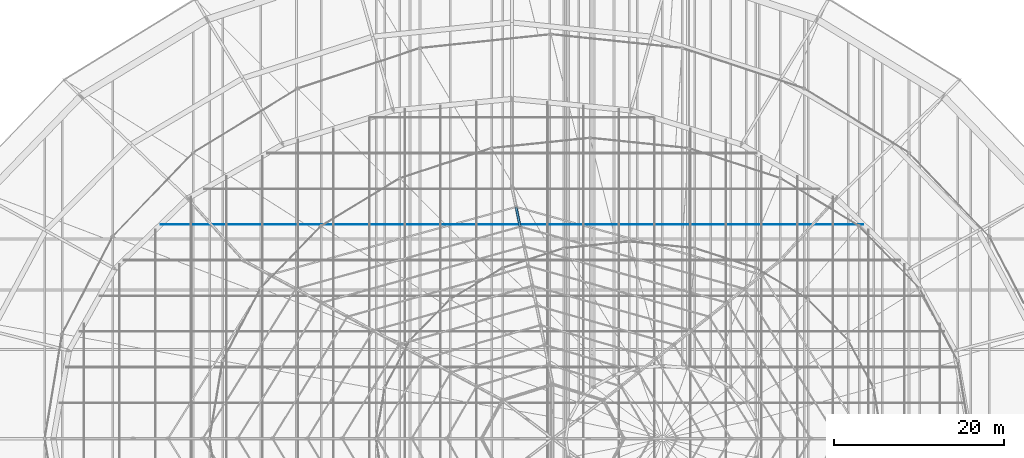
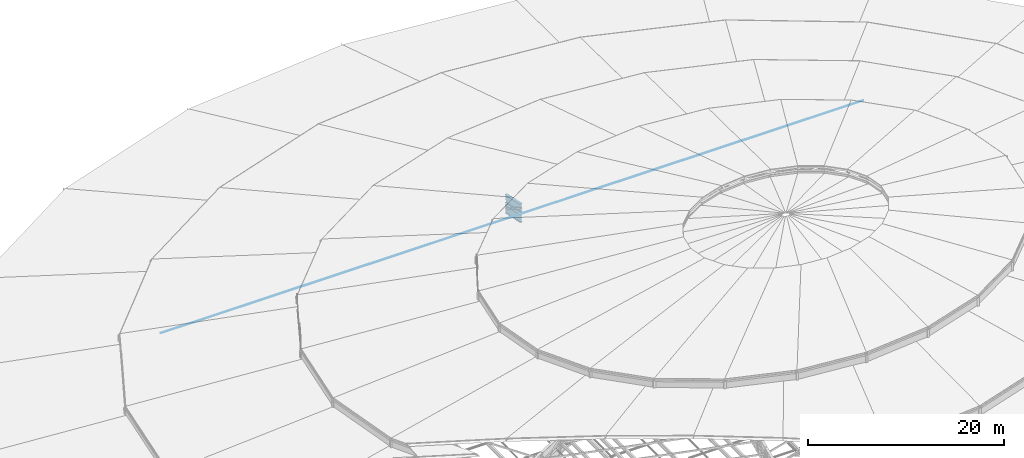
# One storey, part 113 of 184: 2 beams, 2 members.
"""IFC4 building model written with IfcOpenShell, lengths in metres."""

import ifcopenshell
import ifcopenshell.guid

model = None  # the IFC model being written
_history = None  # IfcOwnerHistory: only IFC2X3 demands one
_inside = {}  # id of a spatial element -> (the spatial element, [elements in it])
_under = {}  # id of a project, library or spatial element -> (it, [spatial elements below it])
_declared = {}  # id of a project -> (the project, [libraries it declares])
_typed = {}  # id of a type object -> (the type object, [elements of that type])
_made_of = {}  # id of a material, layer set ... -> (it, [elements and type objects made of it])


def new_model(schema):
    """Start an empty IFC model of exactly this schema.

    Asked for "IFC4X3", IfcOpenShell would pick the latest addendum, in which some entities
    have other attributes; the version numbers below select the first issue.
    IFC2X3 requires an IfcOwnerHistory on every rooted entity: one is made here for all.
    """
    global model, _history
    if schema == "IFC4X3":
        model = ifcopenshell.file(schema_version=(4, 3, 0, 0))
    else:
        model = ifcopenshell.file(schema=schema)
    _inside.clear()
    _under.clear()
    _declared.clear()
    _typed.clear()
    _made_of.clear()
    _history = None
    if model.schema == "IFC2X3":
        org = make("IfcOrganization", Name="unknown")
        user = make(
            "IfcPersonAndOrganization",
            ThePerson=make("IfcPerson", FamilyName="unknown"),
            TheOrganization=org,
        )
        app = make(
            "IfcApplication",
            ApplicationDeveloper=org,
            Version="unknown",
            ApplicationFullName="unknown",
            ApplicationIdentifier="unknown",
        )
        _history = make(
            "IfcOwnerHistory",
            OwningUser=user,
            OwningApplication=app,
            ChangeAction="ADDED",
            CreationDate=0,
        )
    return model


def make(cls, **values):
    """One entity of the class cls with the attributes given. An attribute that is None is left unset."""
    return model.create_entity(
        cls, **{name: value for name, value in values.items() if value is not None}
    )


def rooted(cls, **values):
    """An entity with a GlobalId (a new one), such as an element, a storey or a relation."""
    return make(cls, GlobalId=ifcopenshell.guid.new(), OwnerHistory=_history, **values)


def si_unit(unit_type, name, prefix=None):
    """IfcSIUnit, for example si_unit("LENGTHUNIT", "METRE", prefix="MILLI")."""
    return make("IfcSIUnit", UnitType=unit_type, Prefix=prefix, Name=name)


def assignment(units):
    """IfcUnitAssignment: the units of a project."""
    return None if units is None else make("IfcUnitAssignment", Units=units)


def point(xyz):
    """IfcCartesianPoint."""
    return None if xyz is None else make("IfcCartesianPoint", Coordinates=xyz)


def direction(xyz):
    """IfcDirection."""
    return None if xyz is None else make("IfcDirection", DirectionRatios=xyz)


def frame(location, z_axis=None, x_axis=None):
    """IfcAxis2Placement3D, a coordinate frame: its origin and axes. An axis left out is left unset."""
    return make(
        "IfcAxis2Placement3D",
        Location=point(location),
        Axis=direction(z_axis),
        RefDirection=direction(x_axis),
    )


def frame_2d(location, x_axis=None):
    """IfcAxis2Placement2D, a coordinate frame in the plane: its origin and x axis."""
    return make(
        "IfcAxis2Placement2D", Location=point(location), RefDirection=direction(x_axis)
    )


def origin():
    """The frame at (0, 0, 0) with its axes left unset."""
    return frame((0.0, 0.0, 0.0))


def origin_2d():
    """The frame at (0, 0) in the plane with its x axis left unset."""
    return frame_2d((0.0, 0.0))


def place(relative_to, where):
    """IfcLocalPlacement: puts the frame where relative to a parent placement (None: the world)."""
    return make(
        "IfcLocalPlacement", PlacementRelTo=relative_to, RelativePlacement=where
    )


def context(
    kind, dimensions, precision=None, world=None, true_north=None, identifier=None
):
    """IfcGeometricRepresentationContext, for example the 3D "Model" context."""
    return make(
        "IfcGeometricRepresentationContext",
        ContextIdentifier=identifier,
        ContextType=kind,
        CoordinateSpaceDimension=dimensions,
        Precision=precision,
        WorldCoordinateSystem=world,
        TrueNorth=true_north,
    )


def subcontext(parent, identifier, kind, view, scale=None):
    """IfcGeometricRepresentationSubContext, for example "Body" below "Model"."""
    return make(
        "IfcGeometricRepresentationSubContext",
        ContextIdentifier=identifier,
        ContextType=kind,
        ParentContext=parent,
        TargetScale=scale,
        TargetView=view,
    )


def project(units=None, contexts=None):
    """IfcProject with its units and contexts."""
    return rooted(
        "IfcProject",
        Name="project",
        RepresentationContexts=contexts,
        UnitsInContext=assignment(units),
    )


def spatial(cls, under=None, at=None, **own):
    """A site, building, storey or space (cls), placed at a placement, below another one or the project."""
    s = rooted(cls, ObjectPlacement=at, **own)
    if under is not None:
        _under.setdefault(under.id(), (under, []))[1].append(s)
    return s


def profile(cls, at=None, kind="AREA", **sizes):
    """A parametric profile (cls). Its sizes go by their IFC names, for example OverallWidth=200.0."""
    return make(cls, ProfileType=kind, Position=at, **sizes)


def hollow_rectangle(**sizes):
    """IfcRectangleHollowProfileDef."""
    return profile("IfcRectangleHollowProfileDef", **sizes)


def circle(**sizes):
    """IfcCircleProfileDef."""
    return profile("IfcCircleProfileDef", **sizes)


def i_section(**sizes):
    """IfcIShapeProfileDef."""
    return profile("IfcIShapeProfileDef", **sizes)


def extrude(swept, where, along, depth):
    """IfcExtrudedAreaSolid: the profile swept, set in the frame where, extruded along a direction by depth."""
    return make(
        "IfcExtrudedAreaSolid",
        SweptArea=swept,
        Position=where,
        ExtrudedDirection=direction(along),
        Depth=depth,
    )


def shape(context_of_items, identifier, shape_type, items):
    """IfcShapeRepresentation: the items that make up one representation, for example the "Body"."""
    return make(
        "IfcShapeRepresentation",
        ContextOfItems=context_of_items,
        RepresentationIdentifier=identifier,
        RepresentationType=shape_type,
        Items=items,
    )


def material(Name=None, Category=None):
    """IfcMaterial."""
    return make("IfcMaterial", Name=Name, Category=Category)


def material_profile(
    of_material, cross_section, Name=None, Category=None, Priority=None
):
    """IfcMaterialProfile: a cross section and its material."""
    return make(
        "IfcMaterialProfile",
        Name=Name,
        Material=of_material,
        Profile=cross_section,
        Priority=Priority,
        Category=Category,
    )


def profile_set(profiles, Name=None, composite=None):
    """IfcMaterialProfileSet."""
    return make(
        "IfcMaterialProfileSet",
        Name=Name,
        MaterialProfiles=profiles,
        CompositeProfile=composite,
    )


def made_of(thing, what):
    """Note that an element or type object is made of a material, layer set ...; save() writes the relation."""
    if what is not None:
        _made_of.setdefault(what.id(), (what, []))[1].append(thing)
    return thing


def type_object(cls, material=None, **own):
    """A type object (cls), such as IfcWallType, which elements share."""
    return made_of(rooted(cls, **own), material)


def element(
    cls,
    number,
    at=None,
    inside=None,
    cuts=None,
    type_object=None,
    material=None,
    context=None,
    identifier="Body",
    shape_type=None,
    held_by="IfcProductDefinitionShape",
    body=None,
    shapes=None,
    **own,
):
    """One element of the class cls, such as IfcWall. Its Tag is "e" and its number.

    at: its placement. inside: the storey or other place that contains it. cuts: it is an
    opening in that element (IfcRelVoidsElement). A single representation is given by context,
    identifier, shape_type and body (its items); several are given by shapes. held_by: the class
    of the entity that holds the representations. save() writes the other relations.
    """
    e = rooted(cls, Tag="e%d" % number, ObjectPlacement=at, **own)
    if body is not None:
        shapes = [shape(context, identifier, shape_type, body)]
    if shapes is not None:
        e.Representation = make(held_by, Representations=shapes)
    if inside is not None:
        _inside.setdefault(inside.id(), (inside, []))[1].append(e)
    if cuts is not None:
        rooted(
            "IfcRelVoidsElement", RelatingBuildingElement=cuts, RelatedOpeningElement=e
        )
    if type_object is not None:
        _typed.setdefault(type_object.id(), (type_object, []))[1].append(e)
    return made_of(e, material)


def aggregate(whole, parts):
    """IfcRelAggregates: a whole, such as a stair, and the parts it consists of."""
    return rooted("IfcRelAggregates", RelatingObject=whole, RelatedObjects=parts)


def save(model, path):
    """Write the relations noted so far, then the file.

    IfcRelAggregates (storeys below a building ...), IfcRelContainedInSpatialStructure (elements
    in a storey), IfcRelDefinesByType, IfcRelAssociatesMaterial and IfcRelDeclares: one each for
    every whole, place, type object, material and project.
    """
    for whole, parts in _under.values():
        aggregate(whole, parts)
    for where, things in _inside.values():
        rooted(
            "IfcRelContainedInSpatialStructure",
            RelatedElements=things,
            RelatingStructure=where,
        )
    for kind, things in _typed.values():
        rooted("IfcRelDefinesByType", RelatedObjects=things, RelatingType=kind)
    for what, things in _made_of.values():
        rooted("IfcRelAssociatesMaterial", RelatedObjects=things, RelatingMaterial=what)
    for by, libraries in _declared.values():
        rooted("IfcRelDeclares", RelatingContext=by, RelatedDefinitions=libraries)
    model.write(path)


model = new_model("IFC4")

# Units and contexts
model_context = context("Model", 3, precision=1e-05, world=origin(), true_north=direction((0.0, 1.0)))
body_context = subcontext(model_context, "Body", "Model", "MODEL_VIEW")
ifc_project = project(units=[si_unit("LENGTHUNIT", "METRE"), si_unit("AREAUNIT", "SQUARE_METRE"), si_unit("VOLUMEUNIT", "CUBIC_METRE"), si_unit("PLANEANGLEUNIT", "RADIAN"), si_unit("MASSUNIT", "GRAM", prefix="KILO")], contexts=[model_context])

# Site, building, storey
site_placement = place(None, origin())
site = spatial("IfcSite", under=ifc_project, at=site_placement, CompositionType="ELEMENT")
building_placement = place(site_placement, origin())
building = spatial("IfcBuilding", under=site, at=building_placement, Name="Kalgoora Escarpment Arena", CompositionType="ELEMENT")
storey_placement = place(building_placement, frame((0.0, 0.0, 27.60009765625)))
storey = spatial("IfcBuildingStorey", under=building, at=storey_placement, Name="Roof Level", CompositionType="ELEMENT", Elevation=27.60009765625)

# Beams
ifc_material_1 = material(Name="Structural steel Grade 350 (350 MPa)", Category="steel")
ifc_material_profile_1 = material_profile(ifc_material_1, i_section(OverallWidth=0.300048828125, OverallDepth=1.010009765625, WebThickness=0.01611328125, FlangeThickness=0.030029296875, at=origin_2d()))
ifc_profile_set_1 = profile_set([ifc_material_profile_1], Name="Structural steel Grade 350 (350 MPa)")
beam_type = type_object("IfcBeamType", Name="BM-TRUSS-CHORD", PredefinedType="USERDEFINED", material=ifc_profile_set_1)
for number, where, z_axis, x_axis, name in (
    (1, (92.877685546875, 91.291748046875, -1.64501953125), (0.202507350244, -0.979278617127, 0.002040376325), (0.979280655568, 0.202507771779, 0.0), "Radial ROOF TRUSS spine 3 bottom chord 3"),
    (2, (92.877685546875, 91.291748046875, -0.340087890625), (0.202506000299, -0.979272089104, 0.004182743583), (0.979280655568, 0.202507771779, 0.0), "Radial ROOF TRUSS spine 3 top chord 3"),
):
    element("IfcBeam", number, at=place(storey_placement, frame(where, z_axis=z_axis, x_axis=x_axis)), inside=storey, type_object=beam_type, Name=name, ObjectType="GIRDER", PredefinedType="USERDEFINED", context=body_context, shape_type="SweptSolid", body=[
        extrude(i_section(OverallWidth=0.300048828125, OverallDepth=1.010009765625, WebThickness=0.01611328125, FlangeThickness=0.030029296875, at=origin_2d()), origin(), (0.0, 0.0, 1.0), 2.39306640625),
    ])

# Members
ifc_material_2 = material(Name="High-tensile spiral strand steel Grade 450 (350 MPa)", Category="steel")
ifc_material_profile_2 = material_profile(ifc_material_2, circle(Radius=0.035888671875, at=origin_2d()))
ifc_profile_set_2 = profile_set([ifc_material_profile_2], Name="High-tensile spiral strand steel Grade 450 (350 MPa)")
member_type_1 = type_object("IfcMemberType", Name="MEM-CABLE-72", PredefinedType="USERDEFINED", material=ifc_profile_set_2)
member_1_placement = place(storey_placement, frame((51.021240234375, 89.199951171875, -1.25), z_axis=(1.0, 0.0, 0.0), x_axis=(0.0, 1.0, 0.0)))
element("IfcMember", 3, at=member_1_placement, inside=storey, type_object=member_type_1, Name="Roof saddle hanging cable X-15", ObjectType="CABLE", PredefinedType="USERDEFINED", context=body_context, shape_type="SweptSolid", body=[
    extrude(circle(Radius=0.035888671875, at=origin_2d()), origin(), (0.0, 0.0, 1.0), 82.757568359375),
])
ifc_material_3 = material(Name="Structural steel C350 (350 MPa)", Category="steel")
ifc_material_profile_3 = material_profile(ifc_material_3, hollow_rectangle(XDim=0.199951171875, YDim=0.199951171875, WallThickness=0.009033203125, at=origin_2d()))
ifc_profile_set_3 = profile_set([ifc_material_profile_3], Name="Structural steel C350 (350 MPa)")
member_type_2 = type_object("IfcMemberType", Name="MEM-TRUSS-DIAG", PredefinedType="BRACE", material=ifc_profile_set_3)
member_2_placement = place(storey_placement, frame((92.8798828125, 91.280029296875, -1.64501953125), z_axis=(0.177225120493, -0.856212669063, 0.485274275026), x_axis=(0.235856188409, -0.441760993693, -0.865574423629)))
element("IfcMember", 4, at=member_2_placement, inside=storey, type_object=member_type_2, Name="Radial ROOF TRUSS spine 3 web diagonal 3", PredefinedType="BRACE", context=body_context, shape_type="SweptSolid", body=[
    extrude(hollow_rectangle(XDim=0.199951171875, YDim=0.199951171875, WallThickness=0.009033203125, at=origin_2d()), origin(), (0.0, 0.0, 1.0), 2.709716796875),
])

save(model, "model.ifc")
